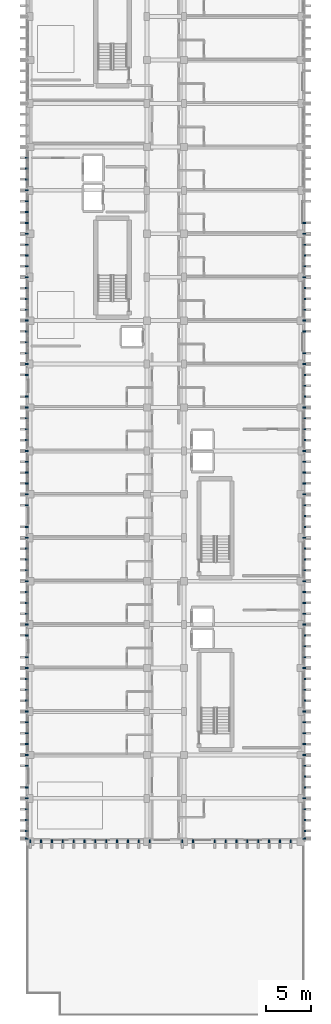
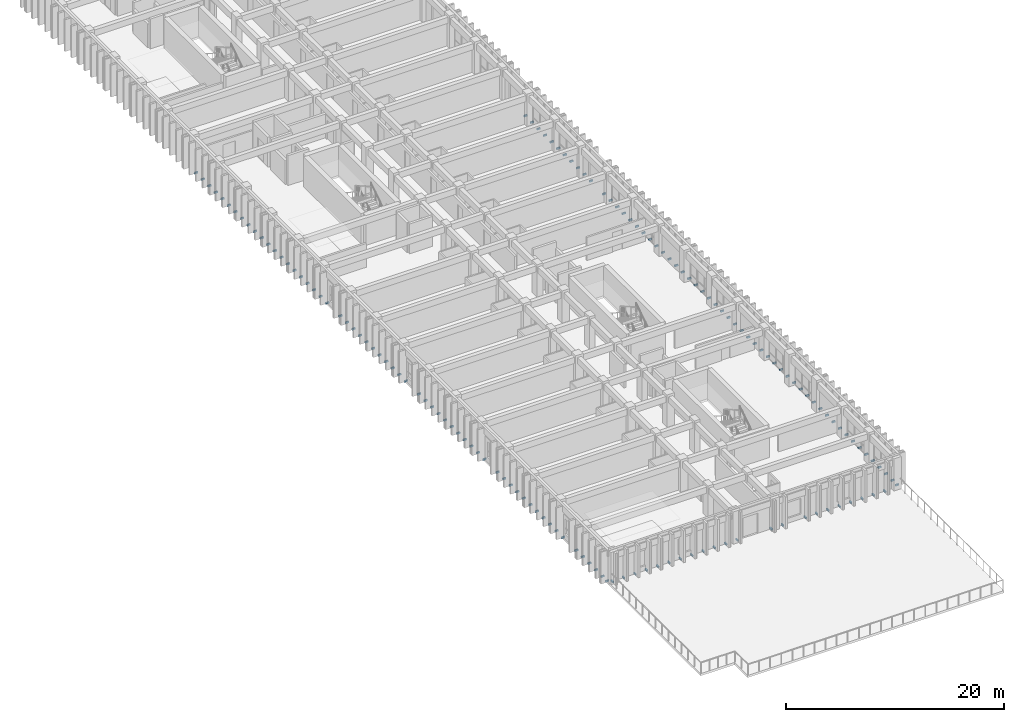
# One storey, part 70 of 82: 139 discrete accessories.
"""IFC4 building model written with IfcOpenShell, lengths in metres."""

from ifc_helpers import new_model, si_unit, direction, frame, origin, origin_2d, place, context, subcontext, project, spatial, rectangle, extrude, material, type_object, element, save


model = new_model("IFC4")

# Units and contexts
model_context = context("Model", 3, precision=1e-05, world=origin(), true_north=direction((0.0, 1.0)))
body_context = subcontext(model_context, "Body", "Model", "MODEL_VIEW")
ifc_project = project(units=[si_unit("LENGTHUNIT", "METRE"), si_unit("AREAUNIT", "SQUARE_METRE"), si_unit("VOLUMEUNIT", "CUBIC_METRE"), si_unit("PLANEANGLEUNIT", "RADIAN"), si_unit("MASSUNIT", "GRAM", prefix="KILO")], contexts=[model_context])

# Site, building, storey
site_placement = place(None, origin())
site = spatial("IfcSite", under=ifc_project, at=site_placement, CompositionType="ELEMENT")
building_placement = place(site_placement, origin())
building = spatial("IfcBuilding", under=site, at=building_placement, Name="Nakhvara Creek Congress Hotel", CompositionType="ELEMENT")
storey_placement = place(building_placement, frame((0.0, 0.0, 21.0)))
storey = spatial("IfcBuildingStorey", under=building, at=storey_placement, Name="L04", CompositionType="ELEMENT", Elevation=21.0)

# Discrete accessories
ifc_material = material(Name="Brushed stainless steel 316L", Category="steel")
discrete_accessory_type = type_object("IfcDiscreteAccessoryType", Name="ACC-BRK-SS316", PredefinedType="BRACKET", material=ifc_material)
for number, where, z_axis, x_axis, name in (
    (1, (179.72998046875, 19.550048828125, -0.10986328125), (0.0, 0.0, 1.0), (0.0, 1.0, 0.0), "Stainless Fin Bracket BK01-1066"),
    (2, (149.070068359375, 19.550048828125, -0.10986328125), (0.0, 0.0, 1.0), (0.0, 1.0, 0.0), "Stainless Fin Bracket BK01-1067"),
    (3, (179.72998046875, 20.39990234375, -0.10986328125), (0.0, 0.0, 1.0), (0.0, 1.0, 0.0), "Stainless Fin Bracket BK01-1068"),
    (4, (149.070068359375, 20.39990234375, -0.10986328125), (0.0, 0.0, 1.0), (0.0, 1.0, 0.0), "Stainless Fin Bracket BK01-1069"),
    (5, (179.72998046875, 21.60009765625, -0.10986328125), (0.0, 0.0, 1.0), (0.0, 1.0, 0.0), "Stainless Fin Bracket BK01-1070"),
    (6, (149.070068359375, 21.60009765625, -0.10986328125), (0.0, 0.0, 1.0), (0.0, 1.0, 0.0), "Stainless Fin Bracket BK01-1071"),
    (7, (179.72998046875, 22.800048828125, -0.10986328125), (0.0, 0.0, 1.0), (0.0, 1.0, 0.0), "Stainless Fin Bracket BK01-1072"),
    (8, (149.070068359375, 22.800048828125, -0.10986328125), (0.0, 0.0, 1.0), (0.0, 1.0, 0.0), "Stainless Fin Bracket BK01-1073"),
    (9, (179.72998046875, 24.0, -0.10986328125), (0.0, 0.0, 1.0), (0.0, 1.0, 0.0), "Stainless Fin Bracket BK01-1074"),
    (10, (149.070068359375, 24.0, -0.10986328125), (0.0, 0.0, 1.0), (0.0, 1.0, 0.0), "Stainless Fin Bracket BK01-1075"),
    (11, (179.72998046875, 25.199951171875, -0.10986328125), (0.0, 0.0, 1.0), (0.0, 1.0, 0.0), "Stainless Fin Bracket BK01-1076"),
    (12, (149.070068359375, 25.199951171875, -0.10986328125), (0.0, 0.0, 1.0), (0.0, 1.0, 0.0), "Stainless Fin Bracket BK01-1077"),
    (13, (179.72998046875, 26.39990234375, -0.10986328125), (0.0, 0.0, 1.0), (0.0, 1.0, 0.0), "Stainless Fin Bracket BK01-1078"),
    (14, (179.72998046875, 27.60009765625, -0.10986328125), (0.0, 0.0, 1.0), (0.0, 1.0, 0.0), "Stainless Fin Bracket BK01-1079"),
    (15, (149.070068359375, 27.60009765625, -0.10986328125), (0.0, 0.0, 1.0), (0.0, 1.0, 0.0), "Stainless Fin Bracket BK01-1080"),
    (16, (179.72998046875, 28.800048828125, -0.10986328125), (0.0, 0.0, 1.0), (0.0, 1.0, 0.0), "Stainless Fin Bracket BK01-1081"),
    (17, (149.070068359375, 28.800048828125, -0.10986328125), (0.0, 0.0, 1.0), (0.0, 1.0, 0.0), "Stainless Fin Bracket BK01-1082"),
    (18, (179.72998046875, 30.0, -0.10986328125), (0.0, 0.0, 1.0), (0.0, 1.0, 0.0), "Stainless Fin Bracket BK01-1083"),
    (19, (149.070068359375, 30.0, -0.10986328125), (0.0, 0.0, 1.0), (0.0, 1.0, 0.0), "Stainless Fin Bracket BK01-1084"),
    (20, (179.72998046875, 31.199951171875, -0.10986328125), (0.0, 0.0, 1.0), (0.0, 1.0, 0.0), "Stainless Fin Bracket BK01-1085"),
    (21, (149.070068359375, 31.199951171875, -0.10986328125), (0.0, 0.0, 1.0), (0.0, 1.0, 0.0), "Stainless Fin Bracket BK01-1086"),
    (22, (179.72998046875, 32.39990234375, -0.10986328125), (0.0, 0.0, 1.0), (0.0, 1.0, 0.0), "Stainless Fin Bracket BK01-1087"),
    (23, (149.070068359375, 32.39990234375, -0.10986328125), (0.0, 0.0, 1.0), (0.0, 1.0, 0.0), "Stainless Fin Bracket BK01-1088"),
    (24, (179.72998046875, 33.60009765625, -0.10986328125), (0.0, 0.0, 1.0), (0.0, 1.0, 0.0), "Stainless Fin Bracket BK01-1089"),
    (25, (149.070068359375, 33.60009765625, -0.10986328125), (0.0, 0.0, 1.0), (0.0, 1.0, 0.0), "Stainless Fin Bracket BK01-1090"),
    (26, (179.72998046875, 34.800048828125, -0.10986328125), (0.0, 0.0, 1.0), (0.0, 1.0, 0.0), "Stainless Fin Bracket BK01-1091"),
    (27, (149.070068359375, 34.800048828125, -0.10986328125), (0.0, 0.0, 1.0), (0.0, 1.0, 0.0), "Stainless Fin Bracket BK01-1092"),
    (28, (179.72998046875, 36.0, -0.10986328125), (0.0, 0.0, 1.0), (0.0, 1.0, 0.0), "Stainless Fin Bracket BK01-1093"),
    (29, (149.070068359375, 36.0, -0.10986328125), (0.0, 0.0, 1.0), (0.0, 1.0, 0.0), "Stainless Fin Bracket BK01-1094"),
    (30, (179.72998046875, 37.199951171875, -0.10986328125), (0.0, 0.0, 1.0), (0.0, 1.0, 0.0), "Stainless Fin Bracket BK01-1095"),
    (31, (149.070068359375, 37.199951171875, -0.10986328125), (0.0, 0.0, 1.0), (0.0, 1.0, 0.0), "Stainless Fin Bracket BK01-1096"),
    (32, (179.72998046875, 38.39990234375, -0.10986328125), (0.0, 0.0, 1.0), (0.0, 1.0, 0.0), "Stainless Fin Bracket BK01-1097"),
    (33, (149.070068359375, 38.39990234375, -0.10986328125), (0.0, 0.0, 1.0), (0.0, 1.0, 0.0), "Stainless Fin Bracket BK01-1098"),
    (34, (179.72998046875, 39.60009765625, -0.10986328125), (0.0, 0.0, 1.0), (0.0, 1.0, 0.0), "Stainless Fin Bracket BK01-1099"),
    (35, (149.070068359375, 39.60009765625, -0.10986328125), (0.0, 0.0, 1.0), (0.0, 1.0, 0.0), "Stainless Fin Bracket BK01-1100"),
    (36, (179.72998046875, 40.800048828125, -0.10986328125), (0.0, 0.0, 1.0), (0.0, 1.0, 0.0), "Stainless Fin Bracket BK01-1101"),
    (37, (179.72998046875, 42.0, -0.10986328125), (0.0, 0.0, 1.0), (0.0, 1.0, 0.0), "Stainless Fin Bracket BK01-1102"),
    (38, (149.070068359375, 42.0, -0.10986328125), (0.0, 0.0, 1.0), (0.0, 1.0, 0.0), "Stainless Fin Bracket BK01-1103"),
    (39, (179.72998046875, 43.199951171875, -0.10986328125), (0.0, 0.0, 1.0), (0.0, 1.0, 0.0), "Stainless Fin Bracket BK01-1104"),
    (40, (149.070068359375, 43.199951171875, -0.10986328125), (0.0, 0.0, 1.0), (0.0, 1.0, 0.0), "Stainless Fin Bracket BK01-1105"),
    (41, (179.72998046875, 44.39990234375, -0.10986328125), (0.0, 0.0, 1.0), (0.0, 1.0, 0.0), "Stainless Fin Bracket BK01-1106"),
    (42, (149.070068359375, 44.39990234375, -0.10986328125), (0.0, 0.0, 1.0), (0.0, 1.0, 0.0), "Stainless Fin Bracket BK01-1107"),
    (43, (179.72998046875, 45.60009765625, -0.10986328125), (0.0, 0.0, 1.0), (0.0, 1.0, 0.0), "Stainless Fin Bracket BK01-1108"),
    (44, (149.070068359375, 45.60009765625, -0.10986328125), (0.0, 0.0, 1.0), (0.0, 1.0, 0.0), "Stainless Fin Bracket BK01-1109"),
    (45, (179.72998046875, 46.800048828125, -0.10986328125), (0.0, 0.0, 1.0), (0.0, 1.0, 0.0), "Stainless Fin Bracket BK01-1110"),
    (46, (149.070068359375, 46.800048828125, -0.10986328125), (0.0, 0.0, 1.0), (0.0, 1.0, 0.0), "Stainless Fin Bracket BK01-1111"),
    (47, (179.72998046875, 48.0, -0.10986328125), (0.0, 0.0, 1.0), (0.0, 1.0, 0.0), "Stainless Fin Bracket BK01-1112"),
    (48, (149.070068359375, 48.0, -0.10986328125), (0.0, 0.0, 1.0), (0.0, 1.0, 0.0), "Stainless Fin Bracket BK01-1113"),
    (49, (179.72998046875, 49.199951171875, -0.10986328125), (0.0, 0.0, 1.0), (0.0, 1.0, 0.0), "Stainless Fin Bracket BK01-1114"),
    (50, (149.070068359375, 49.199951171875, -0.10986328125), (0.0, 0.0, 1.0), (0.0, 1.0, 0.0), "Stainless Fin Bracket BK01-1115"),
    (51, (179.72998046875, 50.39990234375, -0.10986328125), (0.0, 0.0, 1.0), (0.0, 1.0, 0.0), "Stainless Fin Bracket BK01-1116"),
    (52, (149.070068359375, 50.39990234375, -0.10986328125), (0.0, 0.0, 1.0), (0.0, 1.0, 0.0), "Stainless Fin Bracket BK01-1117"),
    (53, (179.72998046875, 51.60009765625, -0.10986328125), (0.0, 0.0, 1.0), (0.0, 1.0, 0.0), "Stainless Fin Bracket BK01-1118"),
    (54, (149.070068359375, 51.60009765625, -0.10986328125), (0.0, 0.0, 1.0), (0.0, 1.0, 0.0), "Stainless Fin Bracket BK01-1119"),
    (55, (179.72998046875, 52.800048828125, -0.10986328125), (0.0, 0.0, 1.0), (0.0, 1.0, 0.0), "Stainless Fin Bracket BK01-1120"),
    (56, (149.070068359375, 52.800048828125, -0.10986328125), (0.0, 0.0, 1.0), (0.0, 1.0, 0.0), "Stainless Fin Bracket BK01-1121"),
    (57, (179.72998046875, 54.0, -0.10986328125), (0.0, 0.0, 1.0), (0.0, 1.0, 0.0), "Stainless Fin Bracket BK01-1122"),
    (58, (149.070068359375, 54.0, -0.10986328125), (0.0, 0.0, 1.0), (0.0, 1.0, 0.0), "Stainless Fin Bracket BK01-1123"),
    (59, (179.72998046875, 55.199951171875, -0.10986328125), (0.0, 0.0, 1.0), (0.0, 1.0, 0.0), "Stainless Fin Bracket BK01-1124"),
    (60, (179.72998046875, 56.39990234375, -0.10986328125), (0.0, 0.0, 1.0), (0.0, 1.0, 0.0), "Stainless Fin Bracket BK01-1125"),
    (61, (149.070068359375, 56.39990234375, -0.10986328125), (0.0, 0.0, 1.0), (0.0, 1.0, 0.0), "Stainless Fin Bracket BK01-1126"),
    (62, (179.72998046875, 57.60009765625, -0.10986328125), (0.0, 0.0, 1.0), (0.0, 1.0, 0.0), "Stainless Fin Bracket BK01-1127"),
    (63, (149.070068359375, 57.60009765625, -0.10986328125), (0.0, 0.0, 1.0), (0.0, 1.0, 0.0), "Stainless Fin Bracket BK01-1128"),
    (64, (179.72998046875, 58.800048828125, -0.10986328125), (0.0, 0.0, 1.0), (0.0, 1.0, 0.0), "Stainless Fin Bracket BK01-1129"),
    (65, (149.070068359375, 58.800048828125, -0.10986328125), (0.0, 0.0, 1.0), (0.0, 1.0, 0.0), "Stainless Fin Bracket BK01-1130"),
    (66, (179.72998046875, 60.0, -0.10986328125), (0.0, 0.0, 1.0), (0.0, 1.0, 0.0), "Stainless Fin Bracket BK01-1131"),
    (67, (149.070068359375, 60.0, -0.10986328125), (0.0, 0.0, 1.0), (0.0, 1.0, 0.0), "Stainless Fin Bracket BK01-1132"),
    (68, (179.72998046875, 61.199951171875, -0.10986328125), (0.0, 0.0, 1.0), (0.0, 1.0, 0.0), "Stainless Fin Bracket BK01-1133"),
    (69, (149.070068359375, 61.199951171875, -0.10986328125), (0.0, 0.0, 1.0), (0.0, 1.0, 0.0), "Stainless Fin Bracket BK01-1134"),
    (70, (179.72998046875, 62.39990234375, -0.10986328125), (0.0, 0.0, 1.0), (0.0, 1.0, 0.0), "Stainless Fin Bracket BK01-1135"),
    (71, (149.070068359375, 62.39990234375, -0.10986328125), (0.0, 0.0, 1.0), (0.0, 1.0, 0.0), "Stainless Fin Bracket BK01-1136"),
    (72, (179.72998046875, 63.60009765625, -0.10986328125), (0.0, 0.0, 1.0), (0.0, 1.0, 0.0), "Stainless Fin Bracket BK01-1137"),
    (73, (149.070068359375, 63.60009765625, -0.10986328125), (0.0, 0.0, 1.0), (0.0, 1.0, 0.0), "Stainless Fin Bracket BK01-1138"),
    (74, (179.72998046875, 64.800048828125, -0.10986328125), (0.0, 0.0, 1.0), (0.0, 1.0, 0.0), "Stainless Fin Bracket BK01-1139"),
    (75, (149.070068359375, 64.800048828125, -0.10986328125), (0.0, 0.0, 1.0), (0.0, 1.0, 0.0), "Stainless Fin Bracket BK01-1140"),
    (76, (179.72998046875, 66.0, -0.10986328125), (0.0, 0.0, 1.0), (0.0, 1.0, 0.0), "Stainless Fin Bracket BK01-1141"),
    (77, (149.070068359375, 66.0, -0.10986328125), (0.0, 0.0, 1.0), (0.0, 1.0, 0.0), "Stainless Fin Bracket BK01-1142"),
    (78, (179.72998046875, 67.199951171875, -0.10986328125), (0.0, 0.0, 1.0), (0.0, 1.0, 0.0), "Stainless Fin Bracket BK01-1143"),
    (79, (149.070068359375, 67.199951171875, -0.10986328125), (0.0, 0.0, 1.0), (0.0, 1.0, 0.0), "Stainless Fin Bracket BK01-1144"),
    (80, (179.72998046875, 68.39990234375, -0.10986328125), (0.0, 0.0, 1.0), (0.0, 1.0, 0.0), "Stainless Fin Bracket BK01-1145"),
    (81, (149.070068359375, 68.39990234375, -0.10986328125), (0.0, 0.0, 1.0), (0.0, 1.0, 0.0), "Stainless Fin Bracket BK01-1146"),
    (82, (179.72998046875, 69.60009765625, -0.10986328125), (0.0, 0.0, 1.0), (0.0, 1.0, 0.0), "Stainless Fin Bracket BK01-1147"),
    (83, (179.72998046875, 70.800048828125, -0.10986328125), (0.0, 0.0, 1.0), (0.0, 1.0, 0.0), "Stainless Fin Bracket BK01-1148"),
    (84, (149.070068359375, 70.800048828125, -0.10986328125), (0.0, 0.0, 1.0), (0.0, 1.0, 0.0), "Stainless Fin Bracket BK01-1149"),
    (85, (179.72998046875, 72.0, -0.10986328125), (0.0, 0.0, 1.0), (0.0, 1.0, 0.0), "Stainless Fin Bracket BK01-1150"),
    (86, (149.070068359375, 72.0, -0.10986328125), (0.0, 0.0, 1.0), (0.0, 1.0, 0.0), "Stainless Fin Bracket BK01-1151"),
    (87, (179.72998046875, 73.199951171875, -0.10986328125), (0.0, 0.0, 1.0), (0.0, 1.0, 0.0), "Stainless Fin Bracket BK01-1152"),
    (88, (149.070068359375, 73.199951171875, -0.10986328125), (0.0, 0.0, 1.0), (0.0, 1.0, 0.0), "Stainless Fin Bracket BK01-1153"),
    (89, (149.070068359375, 74.39990234375, -0.10986328125), (0.0, 0.0, 1.0), (0.0, 1.0, 0.0), "Stainless Fin Bracket BK01-1154"),
    (90, (179.72998046875, 75.60009765625, -0.10986328125), (0.0, 0.0, 1.0), (0.0, 1.0, 0.0), "Stainless Fin Bracket BK01-1155"),
    (91, (149.070068359375, 75.60009765625, -0.10986328125), (0.0, 0.0, 1.0), (0.0, 1.0, 0.0), "Stainless Fin Bracket BK01-1156"),
    (92, (179.72998046875, 76.800048828125, -0.10986328125), (0.0, 0.0, 1.0), (0.0, 1.0, 0.0), "Stainless Fin Bracket BK01-1157"),
    (93, (149.070068359375, 76.800048828125, -0.10986328125), (0.0, 0.0, 1.0), (0.0, 1.0, 0.0), "Stainless Fin Bracket BK01-1158"),
    (94, (179.72998046875, 78.0, -0.10986328125), (0.0, 0.0, 1.0), (0.0, 1.0, 0.0), "Stainless Fin Bracket BK01-1159"),
    (95, (149.070068359375, 78.0, -0.10986328125), (0.0, 0.0, 1.0), (0.0, 1.0, 0.0), "Stainless Fin Bracket BK01-1160"),
    (96, (179.72998046875, 79.199951171875, -0.10986328125), (0.0, 0.0, 1.0), (0.0, 1.0, 0.0), "Stainless Fin Bracket BK01-1161"),
    (97, (149.070068359375, 79.199951171875, -0.10986328125), (0.0, 0.0, 1.0), (0.0, 1.0, 0.0), "Stainless Fin Bracket BK01-1162"),
    (98, (179.72998046875, 80.39990234375, -0.10986328125), (0.0, 0.0, 1.0), (0.0, 1.0, 0.0), "Stainless Fin Bracket BK01-1163"),
    (99, (149.070068359375, 80.39990234375, -0.10986328125), (0.0, 0.0, 1.0), (0.0, 1.0, 0.0), "Stainless Fin Bracket BK01-1164"),
    (100, (179.72998046875, 81.60009765625, -0.10986328125), (0.0, 0.0, 1.0), (0.0, 1.0, 0.0), "Stainless Fin Bracket BK01-1165"),
    (101, (149.070068359375, 81.60009765625, -0.10986328125), (0.0, 0.0, 1.0), (0.0, 1.0, 0.0), "Stainless Fin Bracket BK01-1166"),
    (102, (179.72998046875, 82.800048828125, -0.10986328125), (0.0, 0.0, 1.0), (0.0, 1.0, 0.0), "Stainless Fin Bracket BK01-1167"),
    (103, (149.070068359375, 82.800048828125, -0.10986328125), (0.0, 0.0, 1.0), (0.0, 1.0, 0.0), "Stainless Fin Bracket BK01-1168"),
    (104, (179.72998046875, 84.0, -0.10986328125), (0.0, 0.0, 1.0), (0.0, 1.0, 0.0), "Stainless Fin Bracket BK01-1169"),
    (105, (149.070068359375, 84.0, -0.10986328125), (0.0, 0.0, 1.0), (0.0, 1.0, 0.0), "Stainless Fin Bracket BK01-1170"),
    (106, (179.72998046875, 85.199951171875, -0.10986328125), (0.0, 0.0, 1.0), (0.0, 1.0, 0.0), "Stainless Fin Bracket BK01-1171"),
    (107, (149.070068359375, 85.199951171875, -0.10986328125), (0.0, 0.0, 1.0), (0.0, 1.0, 0.0), "Stainless Fin Bracket BK01-1172"),
    (108, (179.72998046875, 86.39990234375, -0.10986328125), (0.0, 0.0, 1.0), (0.0, 1.0, 0.0), "Stainless Fin Bracket BK01-1173"),
    (109, (149.070068359375, 86.39990234375, -0.10986328125), (0.0, 0.0, 1.0), (0.0, 1.0, 0.0), "Stainless Fin Bracket BK01-1174"),
    (110, (179.72998046875, 87.60009765625, -0.10986328125), (0.0, 0.0, 1.0), (0.0, 1.0, 0.0), "Stainless Fin Bracket BK01-1175"),
    (111, (149.070068359375, 87.60009765625, -0.10986328125), (0.0, 0.0, 1.0), (0.0, 1.0, 0.0), "Stainless Fin Bracket BK01-1176"),
    (112, (149.070068359375, 88.800048828125, -0.10986328125), (0.0, 0.0, 1.0), (0.0, 1.0, 0.0), "Stainless Fin Bracket BK01-1177"),
    (113, (149.070068359375, 90.0, -0.10986328125), (0.0, 0.0, 1.0), (0.0, 1.0, 0.0), "Stainless Fin Bracket BK01-1179"),
    (114, (149.070068359375, 91.199951171875, -0.10986328125), (0.0, 0.0, 1.0), (0.0, 1.0, 0.0), "Stainless Fin Bracket BK01-1181"),
    (115, (149.070068359375, 92.39990234375, -0.10986328125), (0.0, 0.0, 1.0), (0.0, 1.0, 0.0), "Stainless Fin Bracket BK01-1183"),
    (116, (149.070068359375, 93.60009765625, -0.10986328125), (0.0, 0.0, 1.0), (0.0, 1.0, 0.0), "Stainless Fin Bracket BK01-1185"),
    (117, (149.070068359375, 94.800048828125, -0.10986328125), (0.0, 0.0, 1.0), (0.0, 1.0, 0.0), "Stainless Fin Bracket BK01-1187"),
    (118, (149.449951171875, 19.260009765625, -0.10986328125), (0.0, 0.0, 1.0), (1.0, 0.0, 0.0), "Stainless Fin Bracket BK01-1239"),
    (119, (150.64990234375, 19.260009765625, -0.10986328125), (0.0, 0.0, 1.0), (1.0, 0.0, 0.0), "Stainless Fin Bracket BK01-1241"),
    (120, (151.85009765625, 19.260009765625, -0.10986328125), (0.0, 0.0, 1.0), (1.0, 0.0, 0.0), "Stainless Fin Bracket BK01-1243"),
    (121, (153.050048828125, 19.260009765625, -0.10986328125), (0.0, 0.0, 1.0), (1.0, 0.0, 0.0), "Stainless Fin Bracket BK01-1245"),
    (122, (154.25, 19.260009765625, -0.10986328125), (0.0, 0.0, 1.0), (1.0, 0.0, 0.0), "Stainless Fin Bracket BK01-1246"),
    (123, (155.449951171875, 19.260009765625, -0.10986328125), (0.0, 0.0, 1.0), (1.0, 0.0, 0.0), "Stainless Fin Bracket BK01-1248"),
    (124, (156.64990234375, 19.260009765625, -0.10986328125), (0.0, 0.0, 1.0), (1.0, 0.0, 0.0), "Stainless Fin Bracket BK01-1250"),
    (125, (157.85009765625, 19.260009765625, -0.10986328125), (0.0, 0.0, 1.0), (1.0, 0.0, 0.0), "Stainless Fin Bracket BK01-1252"),
    (126, (159.050048828125, 19.260009765625, -0.10986328125), (0.0, 0.0, 1.0), (1.0, 0.0, 0.0), "Stainless Fin Bracket BK01-1254"),
    (127, (160.25, 19.260009765625, -0.10986328125), (0.0, 0.0, 1.0), (1.0, 0.0, 0.0), "Stainless Fin Bracket BK01-1256"),
    (128, (161.449951171875, 19.260009765625, -0.10986328125), (0.0, 0.0, 1.0), (1.0, 0.0, 0.0), "Stainless Fin Bracket BK01-1258"),
    (129, (162.64990234375, 19.260009765625, -0.10986328125), (0.0, 0.0, 1.0), (1.0, 0.0, 0.0), "Stainless Fin Bracket BK01-1260"),
    (130, (166.25, 19.260009765625, -0.10986328125), (0.0, 0.0, 1.0), (1.0, 0.0, 0.0), "Stainless Fin Bracket BK01-1264"),
    (131, (167.449951171875, 19.260009765625, -0.10986328125), (0.0, 0.0, 1.0), (1.0, 0.0, 0.0), "Stainless Fin Bracket BK01-1266"),
    (132, (169.85009765625, 19.260009765625, -0.10986328125), (0.0, 0.0, 1.0), (1.0, 0.0, 0.0), "Stainless Fin Bracket BK01-1269"),
    (133, (171.050048828125, 19.260009765625, -0.10986328125), (0.0, 0.0, 1.0), (1.0, 0.0, 0.0), "Stainless Fin Bracket BK01-1271"),
    (134, (172.25, 19.260009765625, -0.10986328125), (0.0, 0.0, 1.0), (1.0, 0.0, 0.0), "Stainless Fin Bracket BK01-1273"),
    (135, (173.449951171875, 19.260009765625, -0.10986328125), (0.0, 0.0, 1.0), (1.0, 0.0, 0.0), "Stainless Fin Bracket BK01-1275"),
    (136, (174.64990234375, 19.260009765625, -0.10986328125), (0.0, 0.0, 1.0), (1.0, 0.0, 0.0), "Stainless Fin Bracket BK01-1277"),
    (137, (175.85009765625, 19.260009765625, -0.10986328125), (0.0, 0.0, 1.0), (1.0, 0.0, 0.0), "Stainless Fin Bracket BK01-1278"),
    (138, (177.050048828125, 19.260009765625, -0.10986328125), (0.0, 0.0, 1.0), (1.0, 0.0, 0.0), "Stainless Fin Bracket BK01-1280"),
    (139, (178.25, 19.260009765625, -0.10986328125), (0.0, 0.0, 1.0), (1.0, 0.0, 0.0), "Stainless Fin Bracket BK01-1282"),
):
    element("IfcDiscreteAccessory", number, at=place(storey_placement, frame(where, z_axis=z_axis, x_axis=x_axis)), inside=storey, type_object=discrete_accessory_type, Name=name, PredefinedType="BRACKET", context=body_context, shape_type="SweptSolid", body=[
        extrude(rectangle(XDim=0.139892578125, YDim=0.360107421875, at=origin_2d()), origin(), (0.0, 0.0, 1.0), 0.179931640625),
    ])

save(model, "model.ifc")
